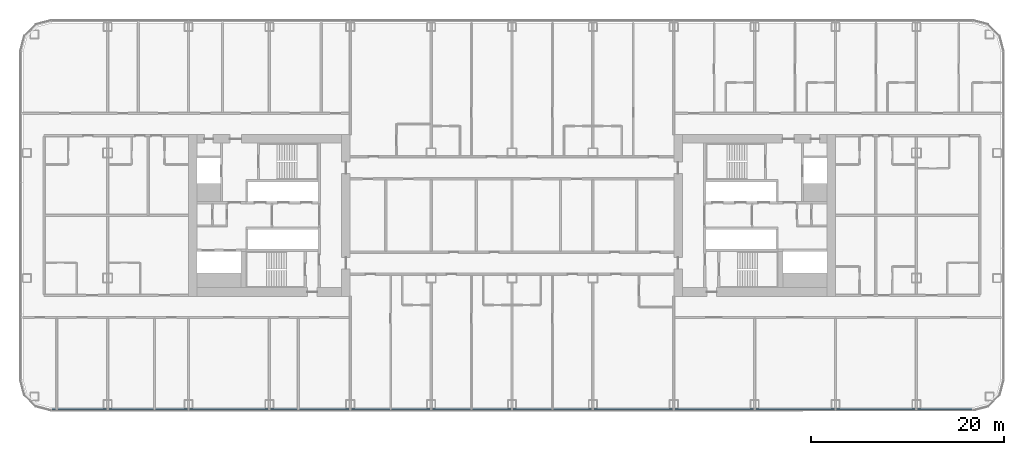
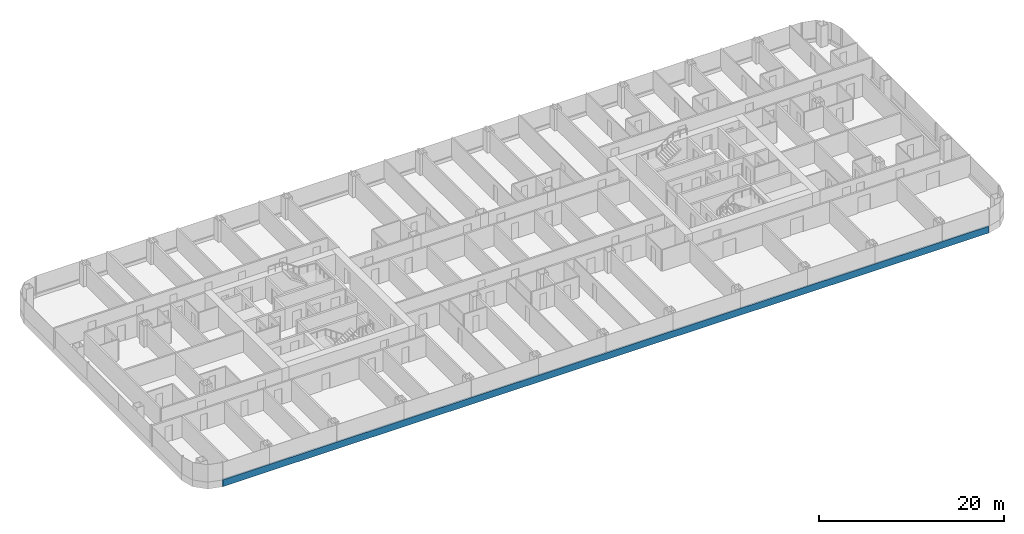
# One storey, part 5 of 28: 1 member, 1 element without a shape of its own.
"""IFC4 building model written with IfcOpenShell, lengths in metres."""

from ifc_helpers import new_model, si_unit, direction, frame, origin, origin_2d, place, context, subcontext, project, spatial, rectangle, extrude, material, layer, layer_set, material_profile, profile_set, type_object, element, aggregate, save


model = new_model("IFC4")

# Units and contexts
model_context = context("Model", 3, precision=1e-05, world=origin(), true_north=direction((0.0, 1.0)))
body_context = subcontext(model_context, "Body", "Model", "MODEL_VIEW")
ifc_project = project(units=[si_unit("LENGTHUNIT", "METRE"), si_unit("AREAUNIT", "SQUARE_METRE"), si_unit("VOLUMEUNIT", "CUBIC_METRE"), si_unit("PLANEANGLEUNIT", "RADIAN"), si_unit("MASSUNIT", "GRAM", prefix="KILO")], contexts=[model_context])

# Site, building, storey
site_placement = place(None, origin())
site = spatial("IfcSite", under=ifc_project, at=site_placement, CompositionType="ELEMENT")
building_placement = place(site_placement, origin())
building = spatial("IfcBuilding", under=site, at=building_placement, Name="Hakoniwa Tower and Hamabe Station Hall", CompositionType="ELEMENT")
storey_placement = place(building_placement, frame((0.0, 0.0, 32.60009765625)))
storey = spatial("IfcBuildingStorey", under=building, at=storey_placement, Name="L08", CompositionType="ELEMENT", Elevation=32.60009765625)

# Curtain wall, member
ifc_material_1 = material(Name="Dark low-e laminated glass", Category="glass")
ifc_layer = layer(ifc_material_1, 0.199951171875)
ifc_layer_set = layer_set([ifc_layer], Name="CW-1 UNITISED GUEST")
curtain_wall_type = type_object("IfcCurtainWallType", Name="CW-1 UNITISED GUEST", PredefinedType="NOTDEFINED", material=ifc_layer_set)
curtain_wall_placement = place(storey_placement, origin())
curtain_wall = element("IfcCurtainWall", 1, at=curtain_wall_placement, inside=storey, type_object=curtain_wall_type, Name="CW-1 curtain wall", PredefinedType="NOTDEFINED")
ifc_material_2 = material(Name="Aluminium 6063-T5 black anodised", Category="aluminium")
ifc_material_profile = material_profile(ifc_material_2, rectangle(XDim=0.199951171875, YDim=0.89990234375, at=origin_2d()), Name="CW SLAB-EDGE BAND 900X200")
ifc_profile_set = profile_set([ifc_material_profile], Name="Aluminium 6063-T5 black anodised")
member_type = type_object("IfcMemberType", Name="CW SLAB-EDGE BAND 900X200", PredefinedType="USERDEFINED", material=ifc_profile_set)
member_placement = place(storey_placement, frame((-47.839599609375, -20.199951171875, -0.10009765625), z_axis=(1.0, 0.0, 0.0), x_axis=(0.0, 1.0, 0.0)))
member = element("IfcMember", 2, at=member_placement, type_object=member_type, Name="CW-1 transom", ObjectType="TRANSOM", PredefinedType="USERDEFINED", context=body_context, shape_type="SweptSolid", body=[
    extrude(rectangle(XDim=0.199951171875, YDim=0.89990234375, at=origin_2d()), origin(), (0.0, 0.0, 1.0), 95.67919921875),
])
aggregate(curtain_wall, [member])

save(model, "model.ifc")
